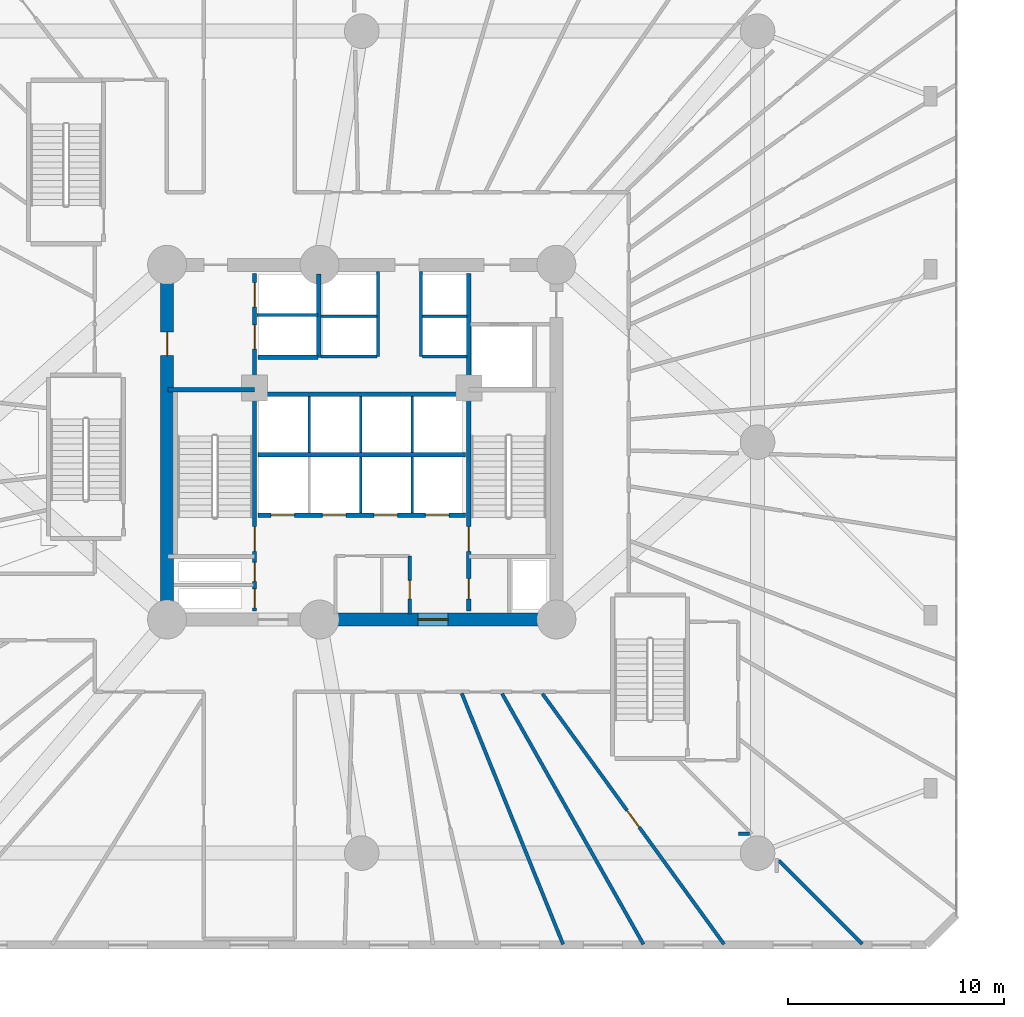
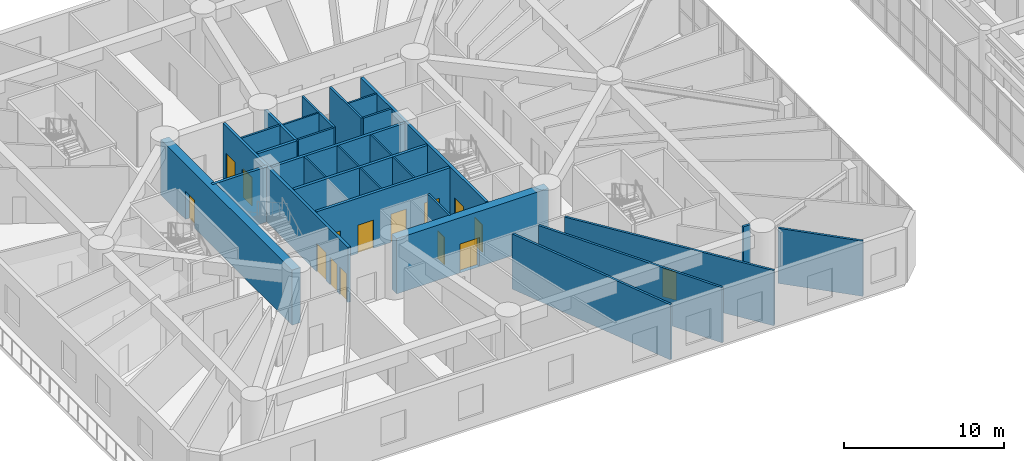
# One storey, part 15 of 26: 28 walls, 15 doors, 15 openings.
"""IFC4 building model written with IfcOpenShell, lengths in metres."""

from ifc_helpers import new_model, si_unit, direction, frame, frame_2d, origin, origin_with_axes, place, context, subcontext, project, spatial, rectangle, extrude, source, transform, mapped, material, layer, layer_set, type_object, element, fill, save


model = new_model("IFC4")

# Units and contexts
model_context = context("Model", 3, precision=1e-05, world=origin(), true_north=direction((0.0, 1.0)))
body_context = subcontext(model_context, "Body", "Model", "MODEL_VIEW")
ifc_project = project(units=[si_unit("LENGTHUNIT", "METRE"), si_unit("AREAUNIT", "SQUARE_METRE"), si_unit("VOLUMEUNIT", "CUBIC_METRE"), si_unit("PLANEANGLEUNIT", "RADIAN"), si_unit("MASSUNIT", "GRAM", prefix="KILO")], contexts=[model_context])

# Site, building, storey
site_placement = place(None, origin())
site = spatial("IfcSite", under=ifc_project, at=site_placement, CompositionType="ELEMENT")
building_placement = place(site_placement, origin())
building = spatial("IfcBuilding", under=site, at=building_placement, Name="Karkom Vertical University and Central Library", CompositionType="ELEMENT")
storey_placement = place(building_placement, frame((0.0, 0.0, 9.0)))
storey = spatial("IfcBuildingStorey", under=building, at=storey_placement, Name="L02", CompositionType="ELEMENT", Elevation=9.0)

# Wall, opening, door
ifc_material_1 = material(Name="Insulated metal-stud drywall 160mm", Category="gypsum")
ifc_layer_1 = layer(ifc_material_1, 0.159912109375)
ifc_layer_set_1 = layer_set([ifc_layer_1], Name="Insulated metal-stud drywall 160mm")
wall_type_1 = type_object("IfcWallType", Name="INT-WL-COR-160", PredefinedType="PARTITIONING", material=ifc_layer_set_1)
wall_1_placement = place(storey_placement, frame((36.856201171875, 14.867919921875, 0.0), z_axis=(0.0, 0.0, 1.0), x_axis=(0.586848404005, -0.809696826422, 0.0)))
wall_1 = element("IfcWall", 1, at=wall_1_placement, inside=storey, type_object=wall_type_1, Name="Level 02 Interior Partition Wall Level 02-PODW-15-16-1", PredefinedType="PARTITIONING", context=body_context, shape_type="SweptSolid", body=[
    extrude(rectangle(XDim=14.30224609375, YDim=0.159912109375, at=frame_2d((7.151123046875, 0.0))), origin(), (0.0, 0.0, 1.0), 4.199951171875),
])
opening_1_placement = place(wall_1_placement, frame((6.65869140625, 0.0, 0.0)))
opening_1 = element("IfcOpeningElement", 2, at=opening_1_placement, cuts=wall_1, Name="Opening FD-RM2", PredefinedType="OPENING", context=body_context, shape_type="SweptSolid", body=[
    extrude(rectangle(XDim=0.9599609375, YDim=2.14990234375, at=frame_2d((0.47998046875, 1.074951171875))), frame((0.0, 0.08984375, 0.0), z_axis=(0.0, -1.0, 0.0), x_axis=(1.0, 0.0, 0.0)), (0.0, 0.0, 1.0), 0.179931640625),
])
ifc_material_2 = material(Name="Fire-rated oak veneer door", Category="wood")
door_type_1 = type_object("IfcDoorType", Name="INT-DR-FRM2", OperationType="NOTDEFINED", PredefinedType="DOOR", material=ifc_material_2)
shared_shape_1 = source(origin_with_axes(), body_context, "Body", "SweptSolid", [
    extrude(rectangle(XDim=0.9599609375, YDim=2.14990234375, at=frame_2d((0.47998046875, 1.074951171875))), frame((0.0, 0.02490234375, 0.0), z_axis=(0.0, -1.0, 0.0), x_axis=(1.0, 0.0, 0.0)), (0.0, 0.0, 1.0), 0.050048828125),
])
door_1_placement = place(opening_1_placement, origin())
door_1 = element("IfcDoor", 3, at=door_1_placement, inside=storey, type_object=door_type_1, Name="Level 02 Room Entry Door 815", OperationType="SINGLE_SWING_LEFT", OverallHeight=2.14990234375, OverallWidth=0.9599609375, PredefinedType="DOOR", context=body_context, shape_type="MappedRepresentation", body=[
    mapped(shared_shape_1, transform((0.0, 0.0, 0.0), scale=1.0)),
])
fill(opening_1, door_1)

# Walls
wall_2_placement = place(storey_placement, frame((34.9912109375, 14.867919921875, 0.0), z_axis=(0.0, 0.0, 1.0), x_axis=(0.491242274215, -0.871022977897, 0.0)))
element("IfcWall", 4, at=wall_2_placement, inside=storey, type_object=wall_type_1, Name="Level 02 Interior Partition Wall Level 02-PODW-14-15-1", PredefinedType="PARTITIONING", context=body_context, shape_type="SweptSolid", body=[
    extrude(rectangle(XDim=13.2998046875, YDim=0.159912109375, at=frame_2d((6.64990234375, 0.0))), origin(), (0.0, 0.0, 1.0), 4.199951171875),
])
wall_3_placement = place(storey_placement, frame((33.125732421875, 14.8818359375, 0.0), z_axis=(0.0, 0.0, 1.0), x_axis=(0.374369486299, -0.927279616798, 0.0)))
element("IfcWall", 5, at=wall_3_placement, inside=storey, type_object=wall_type_1, Name="Level 02 Interior Partition Wall Level 02-PODW-13-14-1", PredefinedType="PARTITIONING", context=body_context, shape_type="SweptSolid", body=[
    extrude(rectangle(XDim=12.511962890625, YDim=0.159912109375, at=frame_2d((6.255859375, 0.0))), origin(), (0.0, 0.0, 1.0), 4.199951171875),
])
wall_4_placement = place(storey_placement, frame((47.77197265625, 7.15771484375, 0.0), z_axis=(0.0, 0.0, 1.0), x_axis=(0.707397041121, -0.706816402055, 0.0)))
element("IfcWall", 6, at=wall_4_placement, inside=storey, type_object=wall_type_1, Name="Level 02 Interior Partition Wall Level 02-PODW-16-17-4", PredefinedType="PARTITIONING", context=body_context, shape_type="SweptSolid", body=[
    extrude(rectangle(XDim=5.466064453125, YDim=0.159912109375, at=frame_2d((2.73291015625, 0.0))), origin(), (0.0, 0.0, 1.0), 4.199951171875),
])
wall_5_placement = place(storey_placement, frame((46.422607421875, 8.389892578125, 0.0), z_axis=(0.0, 0.0, 1.0), x_axis=(-1.0, 0.0, 0.0)))
element("IfcWall", 7, at=wall_5_placement, inside=storey, type_object=wall_type_1, Name="Level 02 Interior Partition Wall Level 02-PODW-16-17-2", PredefinedType="PARTITIONING", context=body_context, shape_type="SweptSolid", body=[
    extrude(rectangle(XDim=0.5126953125, YDim=0.159912109375, at=frame_2d((0.25634765625, 0.0))), origin(), (0.0, 0.0, 1.0), 4.199951171875),
])
ifc_material_3 = material(Name="Moisture-resistant drywall 120mm", Category="gypsum")
ifc_layer_2 = layer(ifc_material_3, 0.1201171875)
ifc_layer_set_2 = layer_set([ifc_layer_2], Name="Moisture-resistant drywall 120mm")
wall_type_2 = type_object("IfcWallType", Name="INT-WL-INT-120H", PredefinedType="PARTITIONING", material=ifc_layer_set_2)
for number, where, z_axis, x_axis, name in (
    (8, (28.4599609375, 23.219970703125, 0.0), (0.0, 0.0, 1.0), (0.0, 1.0, 0.0), "Level 02 Interior Partition Wall Level 02-CW-PL-DIV2"),
    (9, (30.840087890625, 23.219970703125, 0.0), (0.0, 0.0, 1.0), (0.0, 1.0, 0.0), "Level 02 Interior Partition Wall Level 02-CW-PL-DIV3"),
    (10, (26.080078125, 26.02001953125, 0.0), (0.0, 0.0, 1.0), (0.0, 1.0, 0.0), "Level 02 Interior Partition Wall Level 02-CW-PM-DIV1"),
    (11, (28.4599609375, 26.02001953125, 0.0), (0.0, 0.0, 1.0), (0.0, 1.0, 0.0), "Level 02 Interior Partition Wall Level 02-CW-PM-DIV2"),
    (12, (30.840087890625, 26.02001953125, 0.0), (0.0, 0.0, 1.0), (0.0, 1.0, 0.0), "Level 02 Interior Partition Wall Level 02-CW-PM-DIV3"),
):
    element("IfcWall", number, at=place(storey_placement, frame(where, z_axis=z_axis, x_axis=x_axis)), inside=storey, type_object=wall_type_2, Name=name, PredefinedType="PARTITIONING", context=body_context, shape_type="SweptSolid", body=[
        extrude(rectangle(XDim=2.60009765625, YDim=0.1201171875, at=frame_2d((1.300048828125, 0.0))), origin(), (0.0, 0.0, 1.0), 4.199951171875),
    ])
wall_6_placement = place(storey_placement, frame((26.6201171875, 32.320068359375, 0.0), z_axis=(0.0, 0.0, 1.0), x_axis=(1.0, 0.0, 0.0)))
element("IfcWall", 13, at=wall_6_placement, inside=storey, type_object=wall_type_2, Name="Level 02 Interior Partition Wall Level 02-CW-PH-MW", PredefinedType="PARTITIONING", context=body_context, shape_type="SweptSolid", body=[
    extrude(rectangle(XDim=2.579833984375, YDim=0.1201171875, at=frame_2d((1.2900390625, 0.0))), origin(), (0.0, 0.0, 1.0), 4.199951171875),
])
wall_7_placement = place(storey_placement, frame((31.300048828125, 32.320068359375, 0.0), z_axis=(0.0, 0.0, 1.0), x_axis=(1.0, 0.0, 0.0)))
element("IfcWall", 14, at=wall_7_placement, inside=storey, type_object=wall_type_2, Name="Level 02 Interior Partition Wall Level 02-CW-PH-ME", PredefinedType="PARTITIONING", context=body_context, shape_type="SweptSolid", body=[
    extrude(rectangle(XDim=2.074951171875, YDim=0.1201171875, at=frame_2d((1.03759765625, 0.0))), origin(), (0.0, 0.0, 1.0), 4.199951171875),
])

# Wall, opening, door
ifc_material_4 = material(Name="Metal-stud gypsum partition 140mm", Category="gypsum")
ifc_layer_3 = layer(ifc_material_4, 0.139892578125)
ifc_layer_set_3 = layer_set([ifc_layer_3], Name="Metal-stud gypsum partition 140mm")
wall_type_3 = type_object("IfcWallType", Name="INT-WL-SUB-140", PredefinedType="PARTITIONING", material=ifc_layer_set_3)
wall_8_placement = place(storey_placement, frame((30.719970703125, 18.550048828125, 0.0), z_axis=(0.0, 0.0, 1.0), x_axis=(0.0, 1.0, 0.0)))
wall_8 = element("IfcWall", 15, at=wall_8_placement, inside=storey, type_object=wall_type_3, Name="Level 02 Interior Partition Wall Level 02-CW-KBAY-E", PredefinedType="PARTITIONING", context=body_context, shape_type="SweptSolid", body=[
    extrude(rectangle(XDim=2.68994140625, YDim=0.139892578125, at=frame_2d((1.344970703125, 0.0))), origin(), (0.0, 0.0, 1.0), 4.199951171875),
])
opening_2_placement = place(wall_8_placement, frame((0.699951171875, 0.0, 0.0)))
opening_2 = element("IfcOpeningElement", 16, at=opening_2_placement, cuts=wall_8, Name="Opening D-BATH", PredefinedType="OPENING", context=body_context, shape_type="SweptSolid", body=[
    extrude(rectangle(XDim=0.860107421875, YDim=2.10009765625, at=frame_2d((0.43017578125, 1.050048828125))), frame((0.0, 0.080078125, 0.0), z_axis=(0.0, -1.0, 0.0), x_axis=(1.0, 0.0, 0.0)), (0.0, 0.0, 1.0), 0.159912109375),
])
ifc_material_5 = material(Name="Moisture-resistant oak door", Category="wood")
door_type_2 = type_object("IfcDoorType", Name="INT-DR-BATH", OperationType="NOTDEFINED", PredefinedType="DOOR", material=ifc_material_5)
shared_shape_2 = source(origin_with_axes(), body_context, "Body", "SweptSolid", [
    extrude(rectangle(XDim=0.860107421875, YDim=2.10009765625, at=frame_2d((0.43017578125, 1.050048828125))), frame((0.0, 0.02490234375, 0.0), z_axis=(0.0, -1.0, 0.0), x_axis=(1.0, 0.0, 0.0)), (0.0, 0.0, 1.0), 0.050048828125),
])
door_2_placement = place(opening_2_placement, origin())
door_2 = element("IfcDoor", 17, at=door_2_placement, inside=storey, type_object=door_type_2, Name="Level 02 Janitor Door", OperationType="SINGLE_SWING_RIGHT", OverallHeight=2.10009765625, OverallWidth=0.860107421875, PredefinedType="DOOR", context=body_context, shape_type="MappedRepresentation", body=[
    mapped(shared_shape_2, transform((0.0, 0.0, 0.0), scale=1.0)),
])
fill(opening_2, door_2)

# Walls
ifc_layer_4 = layer(ifc_material_4, 0.139892578125)
ifc_layer_set_4 = layer_set([ifc_layer_4], Name="Metal-stud gypsum partition 140mm")
wall_type_4 = type_object("IfcWallType", Name="INT-WL-SUB-140H", PredefinedType="PARTITIONING", material=ifc_layer_set_4)
for number, where, z_axis, x_axis, name in (
    (18, (29.260009765625, 30.449951171875, 0.0), (0.0, 0.0, 1.0), (0.0, 1.0, 0.0), "Level 02 Interior Partition Wall Level 02-CW-PH-W"),
    (19, (31.239990234375, 30.449951171875, 0.0), (0.0, 0.0, 1.0), (0.0, 1.0, 0.0), "Level 02 Interior Partition Wall Level 02-CW-PH-E"),
):
    element("IfcWall", number, at=place(storey_placement, frame(where, z_axis=z_axis, x_axis=x_axis)), inside=storey, type_object=wall_type_4, Name=name, PredefinedType="PARTITIONING", context=body_context, shape_type="SweptSolid", body=[
        extrude(rectangle(XDim=3.943115234375, YDim=0.139892578125, at=frame_2d((1.9716796875, 0.0))), origin(), (0.0, 0.0, 1.0), 4.199951171875),
    ])
wall_9_placement = place(storey_placement, frame((26.6201171875, 30.449951171875, 0.0), z_axis=(0.0, 0.0, 1.0), x_axis=(1.0, 0.0, 0.0)))
element("IfcWall", 20, at=wall_9_placement, inside=storey, type_object=wall_type_4, Name="Level 02 Interior Partition Wall Level 02-CW-PH-S1", PredefinedType="PARTITIONING", context=body_context, shape_type="SweptSolid", body=[
    extrude(rectangle(XDim=2.579833984375, YDim=0.139892578125, at=frame_2d((1.2900390625, 0.0))), origin(), (0.0, 0.0, 1.0), 4.199951171875),
])
wall_10_placement = place(storey_placement, frame((31.300048828125, 30.449951171875, 0.0), z_axis=(0.0, 0.0, 1.0), x_axis=(1.0, 0.0, 0.0)))
element("IfcWall", 21, at=wall_10_placement, inside=storey, type_object=wall_type_4, Name="Level 02 Interior Partition Wall Level 02-CW-PH-S2", PredefinedType="PARTITIONING", context=body_context, shape_type="SweptSolid", body=[
    extrude(rectangle(XDim=2.074951171875, YDim=0.139892578125, at=frame_2d((1.03759765625, 0.0))), origin(), (0.0, 0.0, 1.0), 4.199951171875),
])
ifc_layer_5 = layer(ifc_material_4, 0.139892578125)
ifc_layer_set_5 = layer_set([ifc_layer_5], Name="Metal-stud gypsum partition 140mm")
wall_type_5 = type_object("IfcWallType", Name="INT-WL-SUB-140X", PredefinedType="PARTITIONING", material=ifc_layer_set_5)
wall_11_placement = place(storey_placement, frame((23.652099609375, 32.3701171875, 0.0), z_axis=(0.0, 0.0, 1.0), x_axis=(1.0, 0.0, 0.0)))
element("IfcWall", 22, at=wall_11_placement, inside=storey, type_object=wall_type_5, Name="Level 02 Interior Partition Wall Level 02-CW-FFL-M", PredefinedType="PARTITIONING", context=body_context, shape_type="SweptSolid", body=[
    extrude(rectangle(XDim=2.827880859375, YDim=0.139892578125, at=frame_2d((1.4140625, 0.0))), origin(), (0.0, 0.0, 1.0), 4.199951171875),
])

# Wall, opening, door
ifc_material_6 = material(Name="Concrete C50/60", Category="concrete")
ifc_layer_6 = layer(ifc_material_6, 0.60009765625)
ifc_layer_set_6 = layer_set([ifc_layer_6], Name="Concrete C50/60")
wall_type_6 = type_object("IfcWallType", Name="STR-WL-CW-600", PredefinedType="SHEAR", material=ifc_layer_set_6)
wall_12_placement = place(storey_placement, frame((26.550048828125, 18.300048828125, 0.0), z_axis=(0.0, 0.0, 1.0), x_axis=(1.0, 0.0, 0.0)))
wall_12 = element("IfcWall", 23, at=wall_12_placement, inside=storey, type_object=wall_type_6, Name="Level 02 Central Core Shear Wall SW2", PredefinedType="SHEAR", context=body_context, shape_type="SweptSolid", body=[
    extrude(rectangle(XDim=10.949951171875, YDim=0.60009765625, at=frame_2d((5.47509765625, 0.0))), origin(), (0.0, 0.0, 1.0), 4.199951171875),
])
opening_3_placement = place(wall_12_placement, frame((4.550048828125, 0.0, 0.0)))
opening_3 = element("IfcOpeningElement", 24, at=opening_3_placement, cuts=wall_12, Name="Opening FD-CLB", PredefinedType="OPENING", context=body_context, shape_type="SweptSolid", body=[
    extrude(rectangle(XDim=1.39990234375, YDim=2.199951171875, at=frame_2d((0.699951171875, 1.10009765625))), frame((0.0, 0.31005859375, 0.0), z_axis=(0.0, -1.0, 0.0), x_axis=(1.0, 0.0, 0.0)), (0.0, 0.0, 1.0), 0.6201171875),
])
ifc_material_7 = material(Name="Painted steel fire door", Category="steel")
door_type_3 = type_object("IfcDoorType", Name="INT-DR-CLB", OperationType="DOUBLE_DOOR_SINGLE_SWING", PredefinedType="DOOR", material=ifc_material_7)
shared_shape_3 = source(origin_with_axes(), body_context, "Body", "SweptSolid", [
    extrude(rectangle(XDim=1.39990234375, YDim=2.199951171875, at=frame_2d((0.699951171875, 1.10009765625))), frame((0.0, 0.02490234375, 0.0), z_axis=(0.0, -1.0, 0.0), x_axis=(1.0, 0.0, 0.0)), (0.0, 0.0, 1.0), 0.050048828125),
])
door_3_placement = place(opening_3_placement, origin())
door_3 = element("IfcDoor", 25, at=door_3_placement, inside=storey, type_object=door_type_3, Name="Level 02 South Core Lobby East Exit Door", OperationType="DOUBLE_DOOR_SINGLE_SWING", OverallHeight=2.199951171875, OverallWidth=1.39990234375, PredefinedType="DOOR", context=body_context, shape_type="MappedRepresentation", body=[
    mapped(shared_shape_3, transform((0.0, 0.0, 0.0), scale=1.0)),
])
fill(opening_3, door_3)

wall_13_placement = place(storey_placement, frame((19.5, 34.699951171875, 0.0), z_axis=(0.0, 0.0, 1.0), x_axis=(0.0, -1.0, 0.0)))
wall_13 = element("IfcWall", 26, at=wall_13_placement, inside=storey, type_object=wall_type_6, Name="Level 02 Central Core Shear Wall WW", PredefinedType="SHEAR", context=body_context, shape_type="SweptSolid", body=[
    extrude(rectangle(XDim=16.39990234375, YDim=0.60009765625, at=frame_2d((8.199951171875, 0.0))), origin(), (0.0, 0.0, 1.0), 4.199951171875),
])
opening_4_placement = place(wall_13_placement, frame((3.10009765625, 0.0, 0.0)))
opening_4 = element("IfcOpeningElement", 27, at=opening_4_placement, cuts=wall_13, Name="Opening FD-FFL", PredefinedType="OPENING", context=body_context, shape_type="SweptSolid", body=[
    extrude(rectangle(XDim=1.10009765625, YDim=2.14990234375, at=frame_2d((0.550048828125, 1.074951171875))), frame((0.0, 0.31005859375, 0.0), z_axis=(0.0, -1.0, 0.0), x_axis=(1.0, 0.0, 0.0)), (0.0, 0.0, 1.0), 0.6201171875),
])
ifc_material_8 = material(Name="Painted steel smoke-seal fire door", Category="steel")
door_type_4 = type_object("IfcDoorType", Name="INT-DR-FFL", OperationType="NOTDEFINED", PredefinedType="DOOR", material=ifc_material_8)
shared_shape_4 = source(origin_with_axes(), body_context, "Body", "SweptSolid", [
    extrude(rectangle(XDim=1.10009765625, YDim=2.14990234375, at=frame_2d((0.550048828125, 1.074951171875))), frame((0.0, 0.02490234375, 0.0), z_axis=(0.0, -1.0, 0.0), x_axis=(1.0, 0.0, 0.0)), (0.0, 0.0, 1.0), 0.050048828125),
])
door_4_placement = place(opening_4_placement, origin())
door_4 = element("IfcDoor", 28, at=door_4_placement, inside=storey, type_object=door_type_4, Name="Level 02 West Corridor Firefighting Lobby Door", OperationType="SINGLE_SWING_LEFT", OverallHeight=2.14990234375, OverallWidth=1.10009765625, PredefinedType="DOOR", context=body_context, shape_type="MappedRepresentation", body=[
    mapped(shared_shape_4, transform((0.0, 0.0, 0.0), scale=1.0)),
])
fill(opening_4, door_4)

# Wall, openings, doors
ifc_material_9 = material(Name="Concrete C45/55", Category="concrete")
ifc_layer_7 = layer(ifc_material_9, 0.199951171875)
ifc_layer_set_7 = layer_set([ifc_layer_7], Name="Concrete C45/55")
wall_type_7 = type_object("IfcWallType", Name="STR-WL-ST-200", PredefinedType="SHEAR", material=ifc_layer_set_7)
wall_14_placement = place(storey_placement, frame((23.544921875, 18.699951171875, 0.0), z_axis=(0.0, 0.0, 1.0), x_axis=(0.0, 1.0, 0.0)))
wall_14 = element("IfcWall", 29, at=wall_14_placement, inside=storey, type_object=wall_type_7, Name="Level 02 Core Shaft Wall Level 02-CW-ST1-E", PredefinedType="SHEAR", context=body_context, shape_type="SweptSolid", body=[
    extrude(rectangle(XDim=15.60009765625, YDim=0.199951171875, at=frame_2d((7.800048828125, 0.0))), origin(), (0.0, 0.0, 1.0), 4.199951171875),
])
opening_5_placement = place(wall_14_placement, frame((2.75, 0.0, 0.0)))
opening_5 = element("IfcOpeningElement", 30, at=opening_5_placement, cuts=wall_14, Name="Opening FD-ST1", PredefinedType="OPENING", context=body_context, shape_type="SweptSolid", body=[
    extrude(rectangle(XDim=1.14990234375, YDim=2.14990234375, at=frame_2d((0.574951171875, 1.074951171875))), frame((0.0, 0.10986328125, 0.0), z_axis=(0.0, -1.0, 0.0), x_axis=(1.0, 0.0, 0.0)), (0.0, 0.0, 1.0), 0.219970703125),
])
opening_6_placement = place(wall_14_placement, frame((0.139892578125, 0.0, 0.0)))
opening_6 = element("IfcOpeningElement", 31, at=opening_6_placement, cuts=wall_14, Name="Opening FD-RIS", PredefinedType="OPENING", context=body_context, shape_type="SweptSolid", body=[
    extrude(rectangle(XDim=0.8798828125, YDim=2.10009765625, at=frame_2d((0.43994140625, 1.050048828125))), frame((0.0, 0.10986328125, 0.0), z_axis=(0.0, -1.0, 0.0), x_axis=(1.0, 0.0, 0.0)), (0.0, 0.0, 1.0), 0.219970703125),
])
opening_7_placement = place(wall_14_placement, frame((1.360107421875, 0.0, 0.0)))
opening_7 = element("IfcOpeningElement", 32, at=opening_7_placement, cuts=wall_14, Name="Opening FD-RIS", PredefinedType="OPENING", context=body_context, shape_type="SweptSolid", body=[
    extrude(rectangle(XDim=0.8798828125, YDim=2.10009765625, at=frame_2d((0.43994140625, 1.050048828125))), frame((0.0, 0.10986328125, 0.0), z_axis=(0.0, -1.0, 0.0), x_axis=(1.0, 0.0, 0.0)), (0.0, 0.0, 1.0), 0.219970703125),
])
opening_8_placement = place(wall_14_placement, frame((12.10009765625, 0.0, 0.0)))
opening_8 = element("IfcOpeningElement", 33, at=opening_8_placement, cuts=wall_14, Name="Opening LD-FFL", PredefinedType="OPENING", context=body_context, shape_type="SweptSolid", body=[
    extrude(rectangle(XDim=1.1201171875, YDim=2.14990234375, at=frame_2d((0.56005859375, 1.074951171875))), frame((0.0, 0.10986328125, 0.0), z_axis=(0.0, -1.0, 0.0), x_axis=(1.0, 0.0, 0.0)), (0.0, 0.0, 1.0), 0.219970703125),
])
opening_9_placement = place(wall_14_placement, frame((14.050048828125, 0.0, 0.0)))
opening_9 = element("IfcOpeningElement", 34, at=opening_9_placement, cuts=wall_14, Name="Opening LD-FFL", PredefinedType="OPENING", context=body_context, shape_type="SweptSolid", body=[
    extrude(rectangle(XDim=1.1201171875, YDim=2.14990234375, at=frame_2d((0.56005859375, 1.074951171875))), frame((0.0, 0.10986328125, 0.0), z_axis=(0.0, -1.0, 0.0), x_axis=(1.0, 0.0, 0.0)), (0.0, 0.0, 1.0), 0.219970703125),
])
ifc_material_10 = material(Name="Painted steel acoustic fire door", Category="steel")
door_type_5 = type_object("IfcDoorType", Name="INT-DR-ST1", OperationType="NOTDEFINED", PredefinedType="DOOR", material=ifc_material_10)
shared_shape_5 = source(origin_with_axes(), body_context, "Body", "SweptSolid", [
    extrude(rectangle(XDim=1.14990234375, YDim=2.14990234375, at=frame_2d((0.574951171875, 1.074951171875))), frame((0.0, 0.02490234375, 0.0), z_axis=(0.0, -1.0, 0.0), x_axis=(1.0, 0.0, 0.0)), (0.0, 0.0, 1.0), 0.050048828125),
])
door_5_placement = place(opening_5_placement, origin())
door_5 = element("IfcDoor", 35, at=door_5_placement, inside=storey, type_object=door_type_5, Name="Level 02 Stair ST-1 Fire Door", OperationType="SINGLE_SWING_RIGHT", OverallHeight=2.14990234375, OverallWidth=1.14990234375, PredefinedType="DOOR", context=body_context, shape_type="MappedRepresentation", body=[
    mapped(shared_shape_5, transform((0.0, 0.0, 0.0), scale=1.0)),
])
fill(opening_5, door_5)
ifc_material_11 = material(Name="Painted steel riser access door", Category="steel")
door_type_6 = type_object("IfcDoorType", Name="INT-DR-RIS", OperationType="NOTDEFINED", PredefinedType="DOOR", material=ifc_material_11)
shared_shape_6 = source(origin_with_axes(), body_context, "Body", "SweptSolid", [
    extrude(rectangle(XDim=0.8798828125, YDim=2.10009765625, at=frame_2d((0.43994140625, 1.050048828125))), frame((0.0, 0.02490234375, 0.0), z_axis=(0.0, -1.0, 0.0), x_axis=(1.0, 0.0, 0.0)), (0.0, 0.0, 1.0), 0.050048828125),
])
door_6_placement = place(opening_6_placement, origin())
door_6 = element("IfcDoor", 36, at=door_6_placement, inside=storey, type_object=door_type_6, Name="Level 02 Electrical Riser Access Door", OperationType="SINGLE_SWING_RIGHT", OverallHeight=2.10009765625, OverallWidth=0.8798828125, PredefinedType="DOOR", context=body_context, shape_type="MappedRepresentation", body=[
    mapped(shared_shape_6, transform((0.0, 0.0, 0.0), scale=1.0)),
])
fill(opening_6, door_6)
door_7_placement = place(opening_7_placement, origin())
door_7 = element("IfcDoor", 37, at=door_7_placement, inside=storey, type_object=door_type_6, Name="Level 02 Telecom Riser Access Door", OperationType="SINGLE_SWING_LEFT", OverallHeight=2.10009765625, OverallWidth=0.8798828125, PredefinedType="DOOR", context=body_context, shape_type="MappedRepresentation", body=[
    mapped(shared_shape_6, transform((0.0, 0.0, 0.0), scale=1.0)),
])
fill(opening_7, door_7)
ifc_material_12 = material(Name="Fire-rated stainless-steel landing door", Category="steel")
door_type_7 = type_object("IfcDoorType", Name="INT-DR-LD-FFL", OperationType="SLIDING_TO_LEFT", PredefinedType="DOOR", material=ifc_material_12)
shared_shape_7 = source(origin_with_axes(), body_context, "Body", "SweptSolid", [
    extrude(rectangle(XDim=1.1201171875, YDim=2.14990234375, at=frame_2d((0.56005859375, 1.074951171875))), frame((0.0, 0.02490234375, 0.0), z_axis=(0.0, -1.0, 0.0), x_axis=(1.0, 0.0, 0.0)), (0.0, 0.0, 1.0), 0.050048828125),
])
door_8_placement = place(opening_8_placement, origin())
door_8 = element("IfcDoor", 38, at=door_8_placement, inside=storey, type_object=door_type_7, Name="Level 02 Firefighting Lift FFL-1 Landing Door", OperationType="SLIDING_TO_LEFT", OverallHeight=2.14990234375, OverallWidth=1.1201171875, PredefinedType="DOOR", context=body_context, shape_type="MappedRepresentation", body=[
    mapped(shared_shape_7, transform((0.0, 0.0, 0.0), scale=1.0)),
])
fill(opening_8, door_8)
door_9_placement = place(opening_9_placement, origin())
door_9 = element("IfcDoor", 39, at=door_9_placement, inside=storey, type_object=door_type_7, Name="Level 02 Firefighting Lift FFL-2 Landing Door", OperationType="SLIDING_TO_RIGHT", OverallHeight=2.14990234375, OverallWidth=1.1201171875, PredefinedType="DOOR", context=body_context, shape_type="MappedRepresentation", body=[
    mapped(shared_shape_7, transform((0.0, 0.0, 0.0), scale=1.0)),
])
fill(opening_9, door_9)

wall_15_placement = place(storey_placement, frame((33.455078125, 18.699951171875, 0.0), z_axis=(0.0, 0.0, 1.0), x_axis=(0.0, 1.0, 0.0)))
wall_15 = element("IfcWall", 40, at=wall_15_placement, inside=storey, type_object=wall_type_7, Name="Level 02 Core Shaft Wall Level 02-CW-ST2-W", PredefinedType="SHEAR", context=body_context, shape_type="SweptSolid", body=[
    extrude(rectangle(XDim=15.60009765625, YDim=0.199951171875, at=frame_2d((7.800048828125, 0.0))), origin(), (0.0, 0.0, 1.0), 4.199951171875),
])
opening_10_placement = place(wall_15_placement, frame((2.75, 0.0, 0.0)))
opening_10 = element("IfcOpeningElement", 41, at=opening_10_placement, cuts=wall_15, Name="Opening FD-ST1", PredefinedType="OPENING", context=body_context, shape_type="SweptSolid", body=[
    extrude(rectangle(XDim=1.14990234375, YDim=2.14990234375, at=frame_2d((0.574951171875, 1.074951171875))), frame((0.0, 0.10986328125, 0.0), z_axis=(0.0, -1.0, 0.0), x_axis=(1.0, 0.0, 0.0)), (0.0, 0.0, 1.0), 0.219970703125),
])
opening_11_placement = place(wall_15_placement, frame((0.550048828125, 0.0, 0.0)))
opening_11 = element("IfcOpeningElement", 42, at=opening_11_placement, cuts=wall_15, Name="Opening D-WC1", PredefinedType="OPENING", context=body_context, shape_type="SweptSolid", body=[
    extrude(rectangle(XDim=0.93994140625, YDim=2.10009765625, at=frame_2d((0.469970703125, 1.050048828125))), frame((0.0, 0.10986328125, 0.0), z_axis=(0.0, -1.0, 0.0), x_axis=(1.0, 0.0, 0.0)), (0.0, 0.0, 1.0), 0.219970703125),
])
door_10_placement = place(opening_10_placement, origin())
door_10 = element("IfcDoor", 43, at=door_10_placement, inside=storey, type_object=door_type_5, Name="Level 02 Stair ST-2 Fire Door", OperationType="SINGLE_SWING_LEFT", OverallHeight=2.14990234375, OverallWidth=1.14990234375, PredefinedType="DOOR", context=body_context, shape_type="MappedRepresentation", body=[
    mapped(shared_shape_5, transform((0.0, 0.0, 0.0), scale=1.0)),
])
fill(opening_10, door_10)
ifc_material_13 = material(Name="Fire-rated laminate moisture-resistant door", Category="wood")
door_type_8 = type_object("IfcDoorType", Name="INT-DR-WC1", OperationType="NOTDEFINED", PredefinedType="DOOR", material=ifc_material_13)
shared_shape_8 = source(origin_with_axes(), body_context, "Body", "SweptSolid", [
    extrude(rectangle(XDim=0.93994140625, YDim=2.10009765625, at=frame_2d((0.469970703125, 1.050048828125))), frame((0.0, 0.02490234375, 0.0), z_axis=(0.0, -1.0, 0.0), x_axis=(1.0, 0.0, 0.0)), (0.0, 0.0, 1.0), 0.050048828125),
])
door_11_placement = place(opening_11_placement, origin())
door_11 = element("IfcDoor", 44, at=door_11_placement, inside=storey, type_object=door_type_8, Name="Level 02 Accessible WC Door", OperationType="SINGLE_SWING_RIGHT", OverallHeight=2.10009765625, OverallWidth=0.93994140625, PredefinedType="DOOR", context=body_context, shape_type="MappedRepresentation", body=[
    mapped(shared_shape_8, transform((0.0, 0.0, 0.0), scale=1.0)),
])
fill(opening_11, door_11)

wall_16_placement = place(storey_placement, frame((23.699951171875, 23.1201171875, 0.0), z_axis=(0.0, 0.0, 1.0), x_axis=(1.0, 0.0, 0.0)))
wall_16 = element("IfcWall", 45, at=wall_16_placement, inside=storey, type_object=wall_type_7, Name="Level 02 Core Shaft Wall Level 02-CW-B1-S", PredefinedType="SHEAR", context=body_context, shape_type="SweptSolid", body=[
    extrude(rectangle(XDim=9.60009765625, YDim=0.199951171875, at=frame_2d((4.800048828125, 0.0))), origin(), (0.0, 0.0, 1.0), 4.199951171875),
])
opening_12_placement = place(wall_16_placement, frame((0.60009765625, 0.0, 0.0)))
opening_12 = element("IfcOpeningElement", 46, at=opening_12_placement, cuts=wall_16, Name="Opening LD-PAX", PredefinedType="OPENING", context=body_context, shape_type="SweptSolid", body=[
    extrude(rectangle(XDim=1.10009765625, YDim=2.14990234375, at=frame_2d((0.550048828125, 1.074951171875))), frame((0.0, 0.10986328125, 0.0), z_axis=(0.0, -1.0, 0.0), x_axis=(1.0, 0.0, 0.0)), (0.0, 0.0, 1.0), 0.219970703125),
])
opening_13_placement = place(wall_16_placement, frame((2.97998046875, 0.0, 0.0)))
opening_13 = element("IfcOpeningElement", 47, at=opening_13_placement, cuts=wall_16, Name="Opening LD-PAX", PredefinedType="OPENING", context=body_context, shape_type="SweptSolid", body=[
    extrude(rectangle(XDim=1.10009765625, YDim=2.14990234375, at=frame_2d((0.550048828125, 1.074951171875))), frame((0.0, 0.10986328125, 0.0), z_axis=(0.0, -1.0, 0.0), x_axis=(1.0, 0.0, 0.0)), (0.0, 0.0, 1.0), 0.219970703125),
])
opening_14_placement = place(wall_16_placement, frame((5.360107421875, 0.0, 0.0)))
opening_14 = element("IfcOpeningElement", 48, at=opening_14_placement, cuts=wall_16, Name="Opening LD-PAX", PredefinedType="OPENING", context=body_context, shape_type="SweptSolid", body=[
    extrude(rectangle(XDim=1.10009765625, YDim=2.14990234375, at=frame_2d((0.550048828125, 1.074951171875))), frame((0.0, 0.10986328125, 0.0), z_axis=(0.0, -1.0, 0.0), x_axis=(1.0, 0.0, 0.0)), (0.0, 0.0, 1.0), 0.219970703125),
])
opening_15_placement = place(wall_16_placement, frame((7.739990234375, 0.0, 0.0)))
opening_15 = element("IfcOpeningElement", 49, at=opening_15_placement, cuts=wall_16, Name="Opening LD-PAX", PredefinedType="OPENING", context=body_context, shape_type="SweptSolid", body=[
    extrude(rectangle(XDim=1.10009765625, YDim=2.14990234375, at=frame_2d((0.550048828125, 1.074951171875))), frame((0.0, 0.10986328125, 0.0), z_axis=(0.0, -1.0, 0.0), x_axis=(1.0, 0.0, 0.0)), (0.0, 0.0, 1.0), 0.219970703125),
])
ifc_material_14 = material(Name="Brushed stainless-steel landing door", Category="steel")
door_type_9 = type_object("IfcDoorType", Name="INT-DR-LD-PAX", OperationType="SLIDING_TO_LEFT", PredefinedType="DOOR", material=ifc_material_14)
door_12_placement = place(opening_12_placement, origin())
door_12 = element("IfcDoor", 50, at=door_12_placement, inside=storey, type_object=door_type_9, Name="Level 02 Lift PL-1 Landing Door", OperationType="SLIDING_TO_LEFT", OverallHeight=2.14990234375, OverallWidth=1.10009765625, PredefinedType="DOOR", context=body_context, shape_type="MappedRepresentation", body=[
    mapped(shared_shape_4, transform((0.0, 0.0, 0.0), scale=1.0)),
])
fill(opening_12, door_12)
door_13_placement = place(opening_13_placement, origin())
door_13 = element("IfcDoor", 51, at=door_13_placement, inside=storey, type_object=door_type_9, Name="Level 02 Lift PL-2 Landing Door", OperationType="SLIDING_TO_RIGHT", OverallHeight=2.14990234375, OverallWidth=1.10009765625, PredefinedType="DOOR", context=body_context, shape_type="MappedRepresentation", body=[
    mapped(shared_shape_4, transform((0.0, 0.0, 0.0), scale=1.0)),
])
fill(opening_13, door_13)
door_14_placement = place(opening_14_placement, origin())
door_14 = element("IfcDoor", 52, at=door_14_placement, inside=storey, type_object=door_type_9, Name="Level 02 Lift PL-3 Landing Door", OperationType="SLIDING_TO_LEFT", OverallHeight=2.14990234375, OverallWidth=1.10009765625, PredefinedType="DOOR", context=body_context, shape_type="MappedRepresentation", body=[
    mapped(shared_shape_4, transform((0.0, 0.0, 0.0), scale=1.0)),
])
fill(opening_14, door_14)
door_15_placement = place(opening_15_placement, origin())
door_15 = element("IfcDoor", 53, at=door_15_placement, inside=storey, type_object=door_type_9, Name="Level 02 Lift PL-4 Landing Door", OperationType="SLIDING_TO_RIGHT", OverallHeight=2.14990234375, OverallWidth=1.10009765625, PredefinedType="DOOR", context=body_context, shape_type="MappedRepresentation", body=[
    mapped(shared_shape_4, transform((0.0, 0.0, 0.0), scale=1.0)),
])
fill(opening_15, door_15)

# Walls
for number, where, z_axis, x_axis, name in (
    (54, (23.699951171875, 25.919921875, 0.0), (0.0, 0.0, 1.0), (1.0, 0.0, 0.0), "Level 02 Core Shaft Wall Level 02-CW-B1-N"),
    (55, (23.699951171875, 28.719970703125, 0.0), (0.0, 0.0, 1.0), (1.0, 0.0, 0.0), "Level 02 Core Shaft Wall Level 02-CW-B2-N"),
):
    element("IfcWall", number, at=place(storey_placement, frame(where, z_axis=z_axis, x_axis=x_axis)), inside=storey, type_object=wall_type_7, Name=name, PredefinedType="SHEAR", context=body_context, shape_type="SweptSolid", body=[
        extrude(rectangle(XDim=9.60009765625, YDim=0.199951171875, at=frame_2d((4.800048828125, 0.0))), origin(), (0.0, 0.0, 1.0), 4.199951171875),
    ])
wall_17_placement = place(storey_placement, frame((19.550048828125, 28.925048828125, 0.0), z_axis=(0.0, 0.0, 1.0), x_axis=(1.0, 0.0, 0.0)))
element("IfcWall", 56, at=wall_17_placement, inside=storey, type_object=wall_type_7, Name="Level 02 Core Shaft Wall Level 02-CW-ST1-N", PredefinedType="SHEAR", context=body_context, shape_type="SweptSolid", body=[
    extrude(rectangle(XDim=3.994873046875, YDim=0.199951171875, at=frame_2d((1.99755859375, 0.0))), origin(), (0.0, 0.0, 1.0), 4.199951171875),
])
wall_18_placement = place(storey_placement, frame((26.52001953125, 30.419921875, 0.0), z_axis=(0.0, 0.0, 1.0), x_axis=(0.0, 1.0, 0.0)))
element("IfcWall", 57, at=wall_18_placement, inside=storey, type_object=wall_type_7, Name="Level 02 Core Shaft Wall Level 02-CW-FFL-E", PredefinedType="SHEAR", context=body_context, shape_type="SweptSolid", body=[
    extrude(rectangle(XDim=3.860107421875, YDim=0.199951171875, at=frame_2d((1.93017578125, 0.0))), origin(), (0.0, 0.0, 1.0), 4.199951171875),
])
wall_19_placement = place(storey_placement, frame((23.699951171875, 30.419921875, 0.0), z_axis=(0.0, 0.0, 1.0), x_axis=(1.0, 0.0, 0.0)))
element("IfcWall", 58, at=wall_19_placement, inside=storey, type_object=wall_type_7, Name="Level 02 Core Shaft Wall Level 02-CW-FFL-S", PredefinedType="SHEAR", context=body_context, shape_type="SweptSolid", body=[
    extrude(rectangle(XDim=2.780029296875, YDim=0.199951171875, at=frame_2d((1.39013671875, 0.0))), origin(), (0.0, 0.0, 1.0), 4.199951171875),
])

save(model, "model.ifc")
